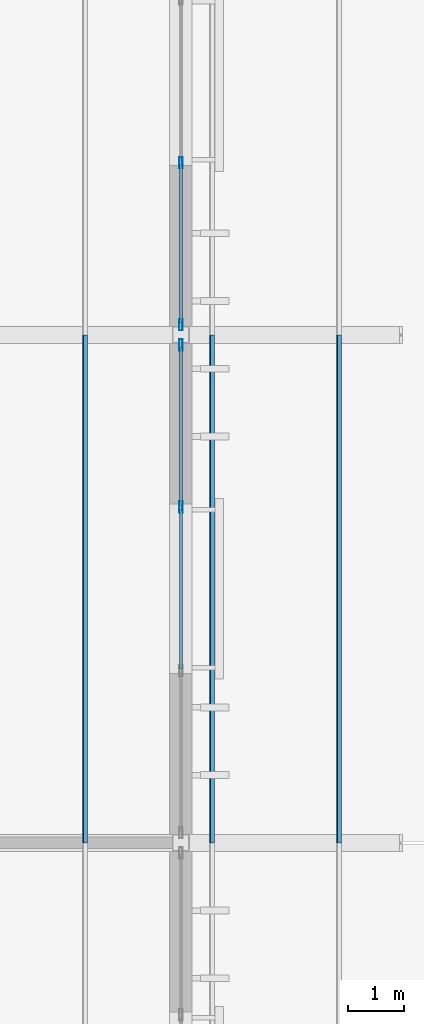
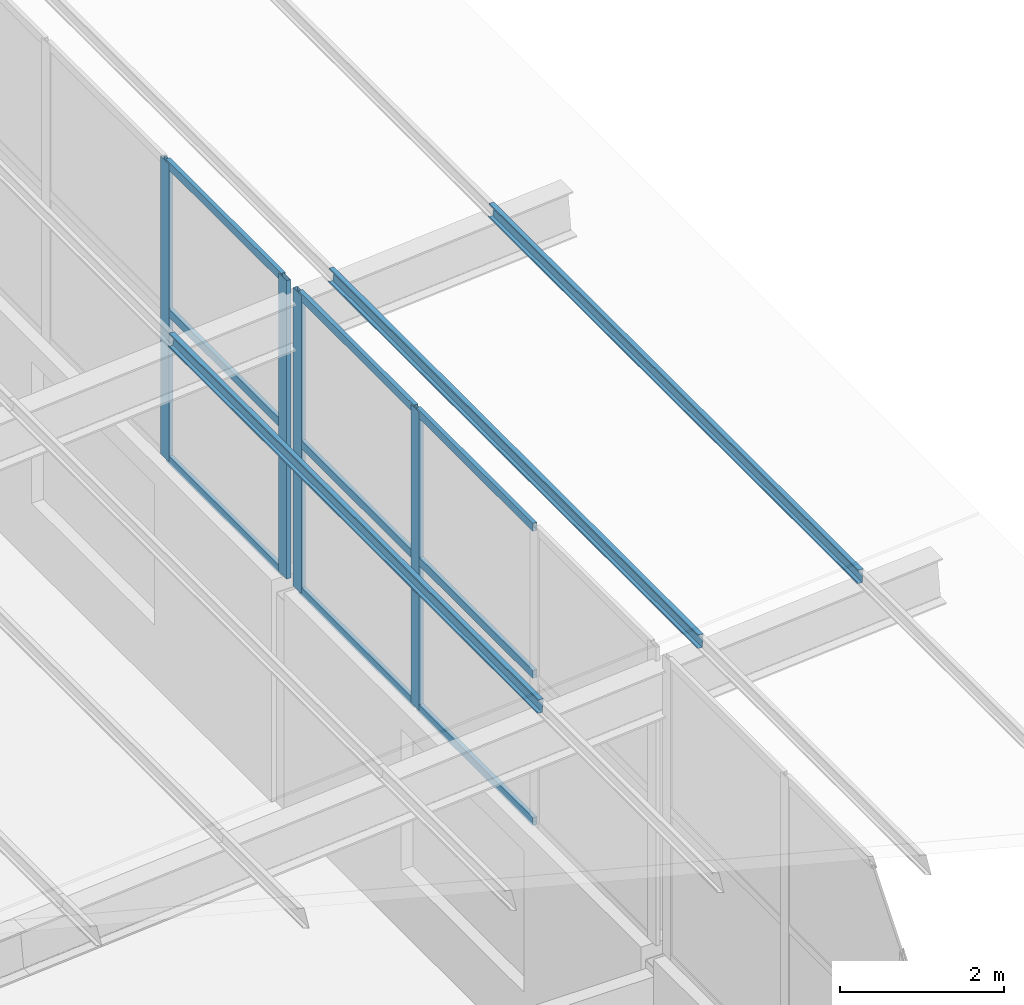
# One storey, part 47 of 85: 16 members, 2 elements without a shape of their own.
"""IFC4 building model written with IfcOpenShell, lengths in metres."""

from ifc_helpers import new_model, si_unit, direction, frame, origin, origin_2d, place, context, subcontext, project, spatial, polyline, hollow_rectangle, outline, extrude, material, layer, layer_set, material_profile, profile_set, type_object, element, aggregate, save


model = new_model("IFC4")

# Units and contexts
model_context = context("Model", 3, precision=1e-05, world=origin(), true_north=direction((0.0, 1.0)))
body_context = subcontext(model_context, "Body", "Model", "MODEL_VIEW")
ifc_project = project(units=[si_unit("LENGTHUNIT", "METRE"), si_unit("AREAUNIT", "SQUARE_METRE"), si_unit("VOLUMEUNIT", "CUBIC_METRE"), si_unit("PLANEANGLEUNIT", "RADIAN"), si_unit("MASSUNIT", "GRAM", prefix="KILO")], contexts=[model_context])

# Site, building, storey
site_placement = place(None, origin())
site = spatial("IfcSite", under=ifc_project, at=site_placement, CompositionType="ELEMENT")
building_placement = place(site_placement, origin())
building = spatial("IfcBuilding", under=site, at=building_placement, Name="Opaline Strait Convention Centre", CompositionType="ELEMENT")
storey_placement = place(building_placement, frame((0.0, 0.0, 17.0)))
storey = spatial("IfcBuildingStorey", under=building, at=storey_placement, Name="L03", CompositionType="ELEMENT", Elevation=17.0)

# Curtain wall, members
ifc_material_1 = material(Name="Aluminium framed double glazing", Category="aluminium")
ifc_layer = layer(ifc_material_1, 0.199951171875)
ifc_layer_set = layer_set([ifc_layer], Name="Aluminium framed double glazing")
curtain_wall_type = type_object("IfcCurtainWallType", Name="Curtain wall 3000 module unitised", PredefinedType="NOTDEFINED", material=ifc_layer_set)
curtain_wall_1_placement = place(storey_placement, origin())
curtain_wall_1 = element("IfcCurtainWall", 1, at=curtain_wall_1_placement, inside=storey, type_object=curtain_wall_type, Name="Clerestory curtain wall E L03 41/R", PredefinedType="NOTDEFINED")
ifc_material_2 = material(Name="Aluminium alloy 6063", Category="aluminium")
ifc_material_profile_1 = material_profile(ifc_material_2, hollow_rectangle(XDim=0.06005859375, YDim=0.199951171875, WallThickness=0.00390625, at=origin_2d()), Name="MULLION 60x200x4")
ifc_profile_set_1 = profile_set([ifc_material_profile_1], Name="Aluminium alloy 6063")
member_type_1 = type_object("IfcMemberType", Name="Curtain wall mullion 60 x 200", PredefinedType="MULLION", material=ifc_profile_set_1)
member_1_placement = place(storey_placement, frame((360.0, 140.949951171875, 3.300048828125), z_axis=(0.0, 0.0, 1.0), x_axis=(-1.0, 0.0, 0.0)))
member_1 = element("IfcMember", 2, at=member_1_placement, type_object=member_type_1, Name="MCWR1 mullion 3", PredefinedType="MULLION", context=body_context, shape_type="SweptSolid", body=[
    extrude(hollow_rectangle(XDim=0.06005859375, YDim=0.199951171875, WallThickness=0.00390625, at=origin_2d()), origin(), (0.0, 0.0, 1.0), 4.43603515625),
])
member_2_placement = place(storey_placement, frame((360.0, 143.820068359375, 3.300048828125), z_axis=(0.0, 0.0, 1.0), x_axis=(-1.0, 0.0, 0.0)))
member_2 = element("IfcMember", 3, at=member_2_placement, type_object=member_type_1, Name="MCWR1 mullion 4", PredefinedType="MULLION", context=body_context, shape_type="SweptSolid", body=[
    extrude(hollow_rectangle(XDim=0.06005859375, YDim=0.199951171875, WallThickness=0.00390625, at=origin_2d()), origin(), (0.0, 0.0, 1.0), 4.43603515625),
])

curtain_wall_2_placement = place(storey_placement, origin())
curtain_wall_2 = element("IfcCurtainWall", 4, at=curtain_wall_2_placement, inside=storey, type_object=curtain_wall_type, Name="Clerestory curtain wall E L03 41/S", PredefinedType="NOTDEFINED")
member_3_placement = place(storey_placement, frame((360.0, 144.179931640625, 3.300048828125), z_axis=(0.0, 0.0, 1.0), x_axis=(-1.0, 0.0, 0.0)))
member_3 = element("IfcMember", 5, at=member_3_placement, type_object=member_type_1, Name="MCWR1 mullion 1", PredefinedType="MULLION", context=body_context, shape_type="SweptSolid", body=[
    extrude(hollow_rectangle(XDim=0.06005859375, YDim=0.199951171875, WallThickness=0.00390625, at=origin_2d()), origin(), (0.0, 0.0, 1.0), 4.43603515625),
])
member_4_placement = place(storey_placement, frame((360.0, 147.050048828125, 3.300048828125), z_axis=(0.0, 0.0, 1.0), x_axis=(-1.0, 0.0, 0.0)))
member_4 = element("IfcMember", 6, at=member_4_placement, type_object=member_type_1, Name="MCWR1 mullion 2", PredefinedType="MULLION", context=body_context, shape_type="SweptSolid", body=[
    extrude(hollow_rectangle(XDim=0.06005859375, YDim=0.199951171875, WallThickness=0.00390625, at=origin_2d()), origin(), (0.0, 0.0, 1.0), 4.43603515625),
])

# Member
ifc_material_profile_2 = material_profile(ifc_material_2, hollow_rectangle(XDim=0.06005859375, YDim=0.1201171875, WallThickness=0.0029296875, at=origin_2d()), Name="TRANSOM 60x120x3")
ifc_profile_set_2 = profile_set([ifc_material_profile_2], Name="Aluminium alloy 6063")
member_type_2 = type_object("IfcMemberType", Name="Curtain wall transom 60 x 120", PredefinedType="USERDEFINED", material=ifc_profile_set_2)
member_5_placement = place(storey_placement, frame((360.0, 138.080078125, 3.330078125), z_axis=(0.0, 1.0, 0.0), x_axis=(-1.0, 0.0, 0.0)))
member_5 = element("IfcMember", 7, at=member_5_placement, type_object=member_type_2, Name="MCWR1 transom 2.1", ObjectType="TRANSOM", PredefinedType="USERDEFINED", context=body_context, shape_type="SweptSolid", body=[
    extrude(hollow_rectangle(XDim=0.06005859375, YDim=0.1201171875, WallThickness=0.0029296875, at=origin_2d()), origin(), (0.0, 0.0, 1.0), 2.83984375),
])

member_6_placement = place(storey_placement, frame((360.0, 138.080078125, 5.51806640625), z_axis=(0.0, 1.0, 0.0), x_axis=(-1.0, 0.0, 0.0)))
member_6 = element("IfcMember", 8, at=member_6_placement, type_object=member_type_2, Name="MCWR1 transom 2.2", ObjectType="TRANSOM", PredefinedType="USERDEFINED", context=body_context, shape_type="SweptSolid", body=[
    extrude(hollow_rectangle(XDim=0.06005859375, YDim=0.1201171875, WallThickness=0.0029296875, at=origin_2d()), origin(), (0.0, 0.0, 1.0), 2.83984375),
])

member_7_placement = place(storey_placement, frame((360.0, 138.080078125, 7.7060546875), z_axis=(0.0, 1.0, 0.0), x_axis=(-1.0, 0.0, 0.0)))
member_7 = element("IfcMember", 9, at=member_7_placement, type_object=member_type_2, Name="MCWR1 transom 2.3", ObjectType="TRANSOM", PredefinedType="USERDEFINED", context=body_context, shape_type="SweptSolid", body=[
    extrude(hollow_rectangle(XDim=0.06005859375, YDim=0.1201171875, WallThickness=0.0029296875, at=origin_2d()), origin(), (0.0, 0.0, 1.0), 2.83984375),
])

member_8_placement = place(storey_placement, frame((360.0, 140.97998046875, 3.330078125), z_axis=(0.0, 1.0, 0.0), x_axis=(-1.0, 0.0, 0.0)))
member_8 = element("IfcMember", 10, at=member_8_placement, type_object=member_type_2, Name="MCWR1 transom 3.1", ObjectType="TRANSOM", PredefinedType="USERDEFINED", context=body_context, shape_type="SweptSolid", body=[
    extrude(hollow_rectangle(XDim=0.06005859375, YDim=0.1201171875, WallThickness=0.0029296875, at=origin_2d()), origin(), (0.0, 0.0, 1.0), 2.81005859375),
])

member_9_placement = place(storey_placement, frame((360.0, 140.97998046875, 5.51806640625), z_axis=(0.0, 1.0, 0.0), x_axis=(-1.0, 0.0, 0.0)))
member_9 = element("IfcMember", 11, at=member_9_placement, type_object=member_type_2, Name="MCWR1 transom 3.2", ObjectType="TRANSOM", PredefinedType="USERDEFINED", context=body_context, shape_type="SweptSolid", body=[
    extrude(hollow_rectangle(XDim=0.06005859375, YDim=0.1201171875, WallThickness=0.0029296875, at=origin_2d()), origin(), (0.0, 0.0, 1.0), 2.81005859375),
])

member_10_placement = place(storey_placement, frame((360.0, 140.97998046875, 7.7060546875), z_axis=(0.0, 1.0, 0.0), x_axis=(-1.0, 0.0, 0.0)))
member_10 = element("IfcMember", 12, at=member_10_placement, type_object=member_type_2, Name="MCWR1 transom 3.3", ObjectType="TRANSOM", PredefinedType="USERDEFINED", context=body_context, shape_type="SweptSolid", body=[
    extrude(hollow_rectangle(XDim=0.06005859375, YDim=0.1201171875, WallThickness=0.0029296875, at=origin_2d()), origin(), (0.0, 0.0, 1.0), 2.81005859375),
])

aggregate(curtain_wall_1, [member_1, member_2, member_5, member_6, member_7, member_8, member_9, member_10])

member_11_placement = place(storey_placement, frame((360.0, 144.2099609375, 3.330078125), z_axis=(0.0, 1.0, 0.0), x_axis=(-1.0, 0.0, 0.0)))
member_11 = element("IfcMember", 13, at=member_11_placement, type_object=member_type_2, Name="MCWR1 transom 1.1", ObjectType="TRANSOM", PredefinedType="USERDEFINED", context=body_context, shape_type="SweptSolid", body=[
    extrude(hollow_rectangle(XDim=0.06005859375, YDim=0.1201171875, WallThickness=0.0029296875, at=origin_2d()), origin(), (0.0, 0.0, 1.0), 2.81005859375),
])

member_12_placement = place(storey_placement, frame((360.0, 144.2099609375, 5.51806640625), z_axis=(0.0, 1.0, 0.0), x_axis=(-1.0, 0.0, 0.0)))
member_12 = element("IfcMember", 14, at=member_12_placement, type_object=member_type_2, Name="MCWR1 transom 1.2", ObjectType="TRANSOM", PredefinedType="USERDEFINED", context=body_context, shape_type="SweptSolid", body=[
    extrude(hollow_rectangle(XDim=0.06005859375, YDim=0.1201171875, WallThickness=0.0029296875, at=origin_2d()), origin(), (0.0, 0.0, 1.0), 2.81005859375),
])

member_13_placement = place(storey_placement, frame((360.0, 144.2099609375, 7.7060546875), z_axis=(0.0, 1.0, 0.0), x_axis=(-1.0, 0.0, 0.0)))
member_13 = element("IfcMember", 15, at=member_13_placement, type_object=member_type_2, Name="MCWR1 transom 1.3", ObjectType="TRANSOM", PredefinedType="USERDEFINED", context=body_context, shape_type="SweptSolid", body=[
    extrude(hollow_rectangle(XDim=0.06005859375, YDim=0.1201171875, WallThickness=0.0029296875, at=origin_2d()), origin(), (0.0, 0.0, 1.0), 2.81005859375),
])

aggregate(curtain_wall_2, [member_3, member_4, member_11, member_12, member_13])

# Members
ifc_material_3 = material(Name="Steel Q355B", Category="steel")
ifc_material_profile_3 = material_profile(ifc_material_3, outline(polyline([(-0.034912109375, -0.10009765625), (0.034912109375, -0.10009765625), (0.034912109375, -0.080078125), (0.032470703125, -0.080078125), (0.032470703125, -0.097412109375), (-0.032470703125, -0.097412109375), (-0.032470703125, 0.097412109375), (0.032470703125, 0.097412109375), (0.032470703125, 0.080078125), (0.034912109375, 0.080078125), (0.034912109375, 0.10009765625), (-0.034912109375, 0.10009765625), (-0.034912109375, -0.10009765625)])), Name="C 200x70x20x2.5")
ifc_profile_set_3 = profile_set([ifc_material_profile_3], Name="Steel Q355B")
member_type_3 = type_object("IfcMemberType", Name="Roof purlin C 200x70x20x2.5", PredefinedType="PURLIN", material=ifc_profile_set_3)
for number, where, z_axis, x_axis, name in (
    (16, (358.300048828125, 135.0, 7.501953125), (0.0, 1.0, 0.0), (-0.996917333733, 0.0, 0.078459095728), "MRP1 purlin E wing 376"),
    (17, (360.550048828125, 135.0, 7.678955078125), (0.0, 1.0, 0.0), (-0.996917333733, 0.0, 0.078459095728), "MRP1 purlin E wing 386"),
    (18, (362.800048828125, 135.0, 7.856201171875), (0.0, 1.0, 0.0), (-0.996917333733, 0.0, 0.078459095728), "MRP1 purlin E wing 396"),
):
    element("IfcMember", number, at=place(storey_placement, frame(where, z_axis=z_axis, x_axis=x_axis)), inside=storey, type_object=member_type_3, Name=name, PredefinedType="PURLIN", context=body_context, shape_type="SweptSolid", body=[
        extrude(outline(polyline([(-0.034912109375, -0.10009765625), (0.034912109375, -0.10009765625), (0.034912109375, -0.080078125), (0.032470703125, -0.080078125), (0.032470703125, -0.097412109375), (-0.032470703125, -0.097412109375), (-0.032470703125, 0.097412109375), (0.032470703125, 0.097412109375), (0.032470703125, 0.080078125), (0.034912109375, 0.080078125), (0.034912109375, 0.10009765625), (-0.034912109375, 0.10009765625), (-0.034912109375, -0.10009765625)])), origin(), (0.0, 0.0, 1.0), 9.0),
    ])

save(model, "model.ifc")
